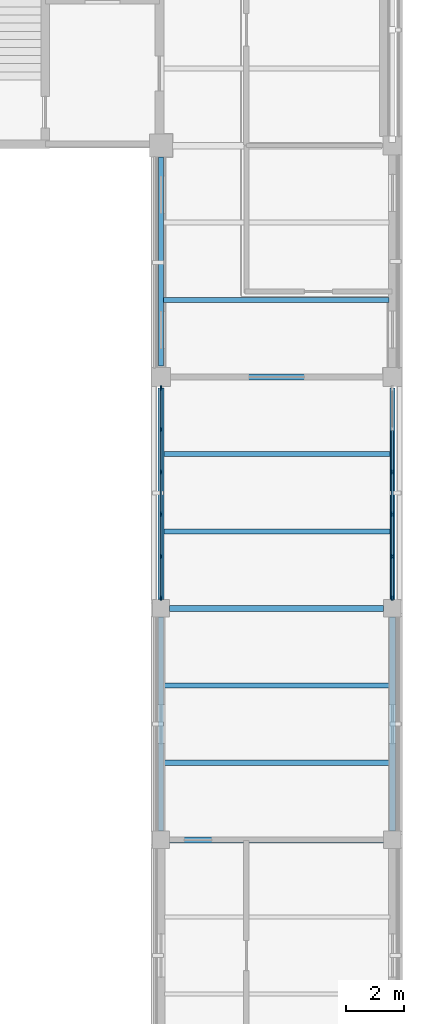
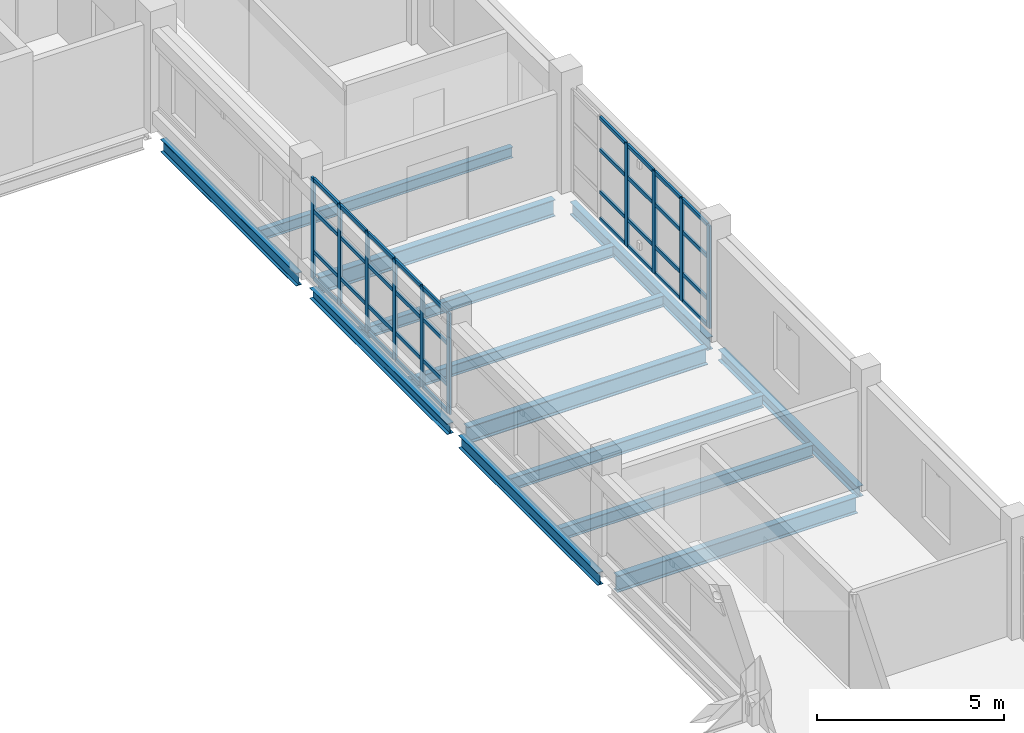
# One storey, part 59 of 126: 46 members, 13 beams, 2 elements without a shape of their own.
"""IFC4 building model written with IfcOpenShell, lengths in metres."""

from ifc_helpers import new_model, si_unit, derived_unit, direction, frame, origin, origin_2d, place, context, subcontext, project, spatial, rectangle, i_section, extrude, material, layer, layer_set, material_profile, profile_set, type_object, element, aggregate, save


model = new_model("IFC4")

# Units and contexts
model_context = context("Model", 3, precision=1e-05, world=origin(), true_north=direction((0.0, 1.0)))
body_context = subcontext(model_context, "Body", "Model", "MODEL_VIEW")
ifc_project = project(units=[si_unit("LENGTHUNIT", "METRE"), si_unit("AREAUNIT", "SQUARE_METRE"), si_unit("VOLUMEUNIT", "CUBIC_METRE"), si_unit("PLANEANGLEUNIT", "RADIAN"), si_unit("MASSUNIT", "GRAM", prefix="KILO"), derived_unit("THERMALTRANSMITTANCEUNIT", [(si_unit("MASSUNIT", "GRAM", prefix="KILO"), 1), (si_unit("TIMEUNIT", "SECOND"), -3), (si_unit("THERMODYNAMICTEMPERATUREUNIT", "KELVIN"), -1)])], contexts=[model_context])

# Site, building, storey
site_placement = place(None, origin())
site = spatial("IfcSite", under=ifc_project, at=site_placement, CompositionType="ELEMENT")
building_placement = place(site_placement, origin())
building = spatial("IfcBuilding", under=site, at=building_placement, Name="Veyamyaing Civic Hall", CompositionType="ELEMENT")
storey_placement = place(building_placement, frame((0.0, 0.0, 9.89990234375)))
storey = spatial("IfcBuildingStorey", under=building, at=storey_placement, Name="L02", CompositionType="ELEMENT", Elevation=9.89990234375)

# Beams
ifc_material_1 = material(Name="Steel ASTM A992", Category="steel")
ifc_material_profile_1 = material_profile(ifc_material_1, i_section(OverallWidth=0.208984375, OverallDepth=0.532958984375, WebThickness=0.01025390625, FlangeThickness=0.015625, FilletRadius=0.011962890625, at=origin_2d()), Name="W530X92")
ifc_profile_set_1 = profile_set([ifc_material_profile_1], Name="Steel ASTM A992")
beam_type_1 = type_object("IfcBeamType", Name="B-07", PredefinedType="BEAM", material=ifc_profile_set_1)
beam_1_placement = place(storey_placement, frame((168.300048828125, 64.0, -0.551513671875), z_axis=(1.0, 0.0, 0.0), x_axis=(0.0, 1.0, 0.0)))
element("IfcBeam", 1, at=beam_1_placement, inside=storey, type_object=beam_type_1, Name="Girder B-07 L02 Grid J 22-23", PredefinedType="BEAM", context=body_context, shape_type="SweptSolid", body=[
    extrude(i_section(OverallWidth=0.208984375, OverallDepth=0.532958984375, WebThickness=0.01025390625, FlangeThickness=0.015625, FilletRadius=0.011962890625, at=origin_2d()), origin(), (0.0, 0.0, 1.0), 7.39990234375),
])
ifc_material_profile_2 = material_profile(ifc_material_1, i_section(OverallWidth=0.179931640625, OverallDepth=0.4130859375, WebThickness=0.009765625, FlangeThickness=0.01611328125, FilletRadius=0.010009765625, at=origin_2d()), Name="W410X74")
ifc_profile_set_2 = profile_set([ifc_material_profile_2], Name="Steel ASTM A992")
beam_type_2 = type_object("IfcBeamType", Name="B-10", PredefinedType="SPANDREL", material=ifc_profile_set_2)
beam_2_placement = place(storey_placement, frame((168.0, 64.300048828125, -0.491455078125), z_axis=(0.0, 1.0, 0.0), x_axis=(-1.0, 0.0, 0.0)))
element("IfcBeam", 2, at=beam_2_placement, inside=storey, type_object=beam_type_2, Name="Girder B-10 L02 Grid 22 J-K", PredefinedType="SPANDREL", context=body_context, shape_type="SweptSolid", body=[
    extrude(i_section(OverallWidth=0.179931640625, OverallDepth=0.4130859375, WebThickness=0.009765625, FlangeThickness=0.01611328125, FilletRadius=0.010009765625, at=origin_2d()), origin(), (0.0, 0.0, 1.0), 7.39990234375),
])
ifc_material_profile_3 = material_profile(ifc_material_1, i_section(OverallWidth=0.2041015625, OverallDepth=0.35009765625, WebThickness=0.0078125, FlangeThickness=0.01513671875, FilletRadius=0.010009765625, at=origin_2d()), Name="W360X72")
ifc_profile_set_3 = profile_set([ifc_material_profile_3], Name="Steel ASTM A992")
beam_type_3 = type_object("IfcBeamType", Name="B-11", PredefinedType="SPANDREL", material=ifc_profile_set_3)
beam_3_placement = place(storey_placement, frame((168.0, 72.300048828125, -0.4599609375), z_axis=(0.0, 1.0, 0.0), x_axis=(-1.0, 0.0, 0.0)))
element("IfcBeam", 3, at=beam_3_placement, inside=storey, type_object=beam_type_3, Name="Girder B-11 L02 Grid 22 K-L", PredefinedType="SPANDREL", context=body_context, shape_type="SweptSolid", body=[
    extrude(i_section(OverallWidth=0.2041015625, OverallDepth=0.35009765625, WebThickness=0.0078125, FlangeThickness=0.01513671875, FilletRadius=0.010009765625, at=origin_2d()), origin(), (0.0, 0.0, 1.0), 7.324951171875),
])
beam_4_placement = place(storey_placement, frame((176.0, 64.300048828125, -0.4599609375), z_axis=(0.0, 1.0, 0.0), x_axis=(-1.0, 0.0, 0.0)))
element("IfcBeam", 4, at=beam_4_placement, inside=storey, type_object=beam_type_3, Name="Girder B-11 L02 Grid 23 J-K", PredefinedType="SPANDREL", context=body_context, shape_type="SweptSolid", body=[
    extrude(i_section(OverallWidth=0.2041015625, OverallDepth=0.35009765625, WebThickness=0.0078125, FlangeThickness=0.01513671875, FilletRadius=0.010009765625, at=origin_2d()), origin(), (0.0, 0.0, 1.0), 7.39990234375),
])
ifc_material_profile_4 = material_profile(ifc_material_1, i_section(OverallWidth=0.214111328125, OverallDepth=0.549072265625, WebThickness=0.0146484375, FlangeThickness=0.023681640625, FilletRadius=0.011962890625, at=origin_2d()), Name="W530X138")
ifc_profile_set_4 = profile_set([ifc_material_profile_4], Name="Steel ASTM A992")
beam_type_4 = type_object("IfcBeamType", Name="B-16", PredefinedType="BEAM", material=ifc_profile_set_4)
beam_5_placement = place(storey_placement, frame((168.300048828125, 72.0, -0.559326171875), z_axis=(1.0, 0.0, 0.0), x_axis=(0.0, 1.0, 0.0)))
element("IfcBeam", 5, at=beam_5_placement, inside=storey, type_object=beam_type_4, Name="Girder B-16 L02 Grid K 22-23", PredefinedType="BEAM", context=body_context, shape_type="SweptSolid", body=[
    extrude(i_section(OverallWidth=0.214111328125, OverallDepth=0.549072265625, WebThickness=0.0146484375, FlangeThickness=0.023681640625, FilletRadius=0.011962890625, at=origin_2d()), origin(), (0.0, 0.0, 1.0), 7.39990234375),
])
ifc_material_profile_5 = material_profile(ifc_material_1, i_section(OverallWidth=0.2109375, OverallDepth=0.5390625, WebThickness=0.01171875, FlangeThickness=0.018798828125, FilletRadius=0.011962890625, at=origin_2d()), Name="W530X109")
ifc_profile_set_5 = profile_set([ifc_material_profile_5], Name="Steel ASTM A992")
beam_type_5 = type_object("IfcBeamType", Name="B-17", PredefinedType="BEAM", material=ifc_profile_set_5)
beam_6_placement = place(storey_placement, frame((168.375, 80.0, -0.554443359375), z_axis=(1.0, 0.0, 0.0), x_axis=(0.0, 1.0, 0.0)))
element("IfcBeam", 6, at=beam_6_placement, inside=storey, type_object=beam_type_5, Name="Girder B-17 L02 Grid L 22-23", PredefinedType="BEAM", context=body_context, shape_type="SweptSolid", body=[
    extrude(i_section(OverallWidth=0.2109375, OverallDepth=0.5390625, WebThickness=0.01171875, FlangeThickness=0.018798828125, FilletRadius=0.011962890625, at=origin_2d()), origin(), (0.0, 0.0, 1.0), 7.25),
])
ifc_material_profile_6 = material_profile(ifc_material_1, i_section(OverallWidth=0.180908203125, OverallDepth=0.4169921875, WebThickness=0.010986328125, FlangeThickness=0.018310546875, FilletRadius=0.010009765625, at=origin_2d()), Name="W410X85")
ifc_profile_set_6 = profile_set([ifc_material_profile_6], Name="Steel ASTM A992")
beam_type_6 = type_object("IfcBeamType", Name="B-19", PredefinedType="SPANDREL", material=ifc_profile_set_6)
beam_7_placement = place(storey_placement, frame((168.0, 80.375, -0.493408203125), z_axis=(0.0, 1.0, 0.0), x_axis=(-1.0, 0.0, 0.0)))
element("IfcBeam", 7, at=beam_7_placement, inside=storey, type_object=beam_type_6, Name="Girder B-19 L02 Grid 22 L-M", PredefinedType="SPANDREL", context=body_context, shape_type="SweptSolid", body=[
    extrude(i_section(OverallWidth=0.180908203125, OverallDepth=0.4169921875, WebThickness=0.010986328125, FlangeThickness=0.018310546875, FilletRadius=0.010009765625, at=origin_2d()), origin(), (0.0, 0.0, 1.0), 7.22509765625),
])
beam_8_placement = place(storey_placement, frame((176.0, 72.300048828125, -0.493408203125), z_axis=(0.0, 1.0, 0.0), x_axis=(-1.0, 0.0, 0.0)))
element("IfcBeam", 8, at=beam_8_placement, inside=storey, type_object=beam_type_6, Name="Girder B-19 L02 Grid 23 K-L", PredefinedType="SPANDREL", context=body_context, shape_type="SweptSolid", body=[
    extrude(i_section(OverallWidth=0.180908203125, OverallDepth=0.4169921875, WebThickness=0.010986328125, FlangeThickness=0.018310546875, FilletRadius=0.010009765625, at=origin_2d()), origin(), (0.0, 0.0, 1.0), 7.324951171875),
])

# Curtain wall, members
ifc_material_2 = material(Name="Anodised aluminium 6063-T6", Category="aluminium")
ifc_layer = layer(ifc_material_2, 0.159912109375, Name="Anodised aluminium 6063-T6")
ifc_layer_set = layer_set([ifc_layer], Name="Anodised aluminium 6063-T6")
curtain_wall_type = type_object("IfcCurtainWallType", Name="CW-03", PredefinedType="NOTDEFINED", material=ifc_layer_set)
curtain_wall_1_placement = place(storey_placement, origin())
curtain_wall_1 = element("IfcCurtainWall", 9, at=curtain_wall_1_placement, inside=storey, type_object=curtain_wall_type, Name="Unitized curtain wall CW-03 L02 W 22.10", PredefinedType="NOTDEFINED")
ifc_material_profile_7 = material_profile(ifc_material_2, rectangle(XDim=0.06494140625, YDim=0.159912109375, at=origin_2d()), Name="ALU-MUL-65X160")
ifc_profile_set_7 = profile_set([ifc_material_profile_7], Name="Anodised aluminium 6063-T6")
member_type_1 = type_object("IfcMemberType", Name="CWM-01", PredefinedType="MULLION", material=ifc_profile_set_7)
member_1_placement = place(storey_placement, frame((168.0, 72.362548828125, 0.0), z_axis=(0.0, 0.0, 1.0), x_axis=(-1.0, 0.0, 0.0)))
member_1 = element("IfcMember", 10, at=member_1_placement, type_object=member_type_1, Name="CW-03 mullion 1", PredefinedType="MULLION", context=body_context, shape_type="SweptSolid", body=[
    extrude(rectangle(XDim=0.06494140625, YDim=0.159912109375, at=origin_2d()), origin(), (0.0, 0.0, 1.0), 3.280029296875),
])
member_2_placement = place(storey_placement, frame((168.0, 73.79296875, 0.0), z_axis=(0.0, 0.0, 1.0), x_axis=(-1.0, 0.0, 0.0)))
member_2 = element("IfcMember", 11, at=member_2_placement, type_object=member_type_1, Name="CW-03 mullion 2", PredefinedType="MULLION", context=body_context, shape_type="SweptSolid", body=[
    extrude(rectangle(XDim=0.06494140625, YDim=0.159912109375, at=origin_2d()), origin(), (0.0, 0.0, 1.0), 3.280029296875),
])
member_3_placement = place(storey_placement, frame((168.0, 75.256103515625, 0.0), z_axis=(0.0, 0.0, 1.0), x_axis=(-1.0, 0.0, 0.0)))
member_3 = element("IfcMember", 12, at=member_3_placement, type_object=member_type_1, Name="CW-03 mullion 3", PredefinedType="MULLION", context=body_context, shape_type="SweptSolid", body=[
    extrude(rectangle(XDim=0.06494140625, YDim=0.159912109375, at=origin_2d()), origin(), (0.0, 0.0, 1.0), 3.280029296875),
])
member_4_placement = place(storey_placement, frame((168.0, 76.718994140625, 0.0), z_axis=(0.0, 0.0, 1.0), x_axis=(-1.0, 0.0, 0.0)))
member_4 = element("IfcMember", 13, at=member_4_placement, type_object=member_type_1, Name="CW-03 mullion 4", PredefinedType="MULLION", context=body_context, shape_type="SweptSolid", body=[
    extrude(rectangle(XDim=0.06494140625, YDim=0.159912109375, at=origin_2d()), origin(), (0.0, 0.0, 1.0), 3.280029296875),
])
member_5_placement = place(storey_placement, frame((168.0, 78.181884765625, 0.0), z_axis=(0.0, 0.0, 1.0), x_axis=(-1.0, 0.0, 0.0)))
member_5 = element("IfcMember", 14, at=member_5_placement, type_object=member_type_1, Name="CW-03 mullion 5", PredefinedType="MULLION", context=body_context, shape_type="SweptSolid", body=[
    extrude(rectangle(XDim=0.06494140625, YDim=0.159912109375, at=origin_2d()), origin(), (0.0, 0.0, 1.0), 3.280029296875),
])
member_6_placement = place(storey_placement, frame((168.0, 79.612548828125, 0.0), z_axis=(0.0, 0.0, 1.0), x_axis=(-1.0, 0.0, 0.0)))
member_6 = element("IfcMember", 15, at=member_6_placement, type_object=member_type_1, Name="CW-03 mullion 6", PredefinedType="MULLION", context=body_context, shape_type="SweptSolid", body=[
    extrude(rectangle(XDim=0.06494140625, YDim=0.159912109375, at=origin_2d()), origin(), (0.0, 0.0, 1.0), 3.280029296875),
])

curtain_wall_2_placement = place(storey_placement, origin())
curtain_wall_2 = element("IfcCurtainWall", 16, at=curtain_wall_2_placement, inside=storey, type_object=curtain_wall_type, Name="Unitized curtain wall CW-03 L02 E 22.10", PredefinedType="NOTDEFINED")
member_7_placement = place(storey_placement, frame((176.0, 72.362548828125, 0.0), z_axis=(0.0, 0.0, 1.0), x_axis=(-1.0, 0.0, 0.0)))
member_7 = element("IfcMember", 17, at=member_7_placement, type_object=member_type_1, Name="CW-03 mullion 1", PredefinedType="MULLION", context=body_context, shape_type="SweptSolid", body=[
    extrude(rectangle(XDim=0.06494140625, YDim=0.159912109375, at=origin_2d()), origin(), (0.0, 0.0, 1.0), 3.343994140625),
])
member_8_placement = place(storey_placement, frame((176.0, 73.79296875, 0.0), z_axis=(0.0, 0.0, 1.0), x_axis=(-1.0, 0.0, 0.0)))
member_8 = element("IfcMember", 18, at=member_8_placement, type_object=member_type_1, Name="CW-03 mullion 2", PredefinedType="MULLION", context=body_context, shape_type="SweptSolid", body=[
    extrude(rectangle(XDim=0.06494140625, YDim=0.159912109375, at=origin_2d()), origin(), (0.0, 0.0, 1.0), 3.343994140625),
])
member_9_placement = place(storey_placement, frame((176.0, 75.256103515625, 0.0), z_axis=(0.0, 0.0, 1.0), x_axis=(-1.0, 0.0, 0.0)))
member_9 = element("IfcMember", 19, at=member_9_placement, type_object=member_type_1, Name="CW-03 mullion 3", PredefinedType="MULLION", context=body_context, shape_type="SweptSolid", body=[
    extrude(rectangle(XDim=0.06494140625, YDim=0.159912109375, at=origin_2d()), origin(), (0.0, 0.0, 1.0), 3.343994140625),
])
member_10_placement = place(storey_placement, frame((176.0, 76.718994140625, 0.0), z_axis=(0.0, 0.0, 1.0), x_axis=(-1.0, 0.0, 0.0)))
member_10 = element("IfcMember", 20, at=member_10_placement, type_object=member_type_1, Name="CW-03 mullion 4", PredefinedType="MULLION", context=body_context, shape_type="SweptSolid", body=[
    extrude(rectangle(XDim=0.06494140625, YDim=0.159912109375, at=origin_2d()), origin(), (0.0, 0.0, 1.0), 3.343994140625),
])

# Member
ifc_material_profile_8 = material_profile(ifc_material_2, rectangle(XDim=0.06494140625, YDim=0.1201171875, at=origin_2d()), Name="ALU-TRN-65X120")
ifc_profile_set_8 = profile_set([ifc_material_profile_8], Name="Anodised aluminium 6063-T6")
member_type_2 = type_object("IfcMemberType", Name="CWT-01", PredefinedType="USERDEFINED", material=ifc_profile_set_8)
member_11_placement = place(storey_placement, frame((168.0, 72.39501953125, 0.03271484375), z_axis=(0.0, 1.0, 0.0), x_axis=(-1.0, 0.0, 0.0)))
member_11 = element("IfcMember", 21, at=member_11_placement, type_object=member_type_2, Name="CW-03 transom 1.1", ObjectType="TRANSOM", PredefinedType="USERDEFINED", context=body_context, shape_type="SweptSolid", body=[
    extrude(rectangle(XDim=0.06494140625, YDim=0.1201171875, at=origin_2d()), origin(), (0.0, 0.0, 1.0), 1.365478515625),
])

member_12_placement = place(storey_placement, frame((168.0, 72.39501953125, 0.900146484375), z_axis=(0.0, 1.0, 0.0), x_axis=(-1.0, 0.0, 0.0)))
member_12 = element("IfcMember", 22, at=member_12_placement, type_object=member_type_2, Name="CW-03 transom 1.2", ObjectType="TRANSOM", PredefinedType="USERDEFINED", context=body_context, shape_type="SweptSolid", body=[
    extrude(rectangle(XDim=0.06494140625, YDim=0.1201171875, at=origin_2d()), origin(), (0.0, 0.0, 1.0), 1.365478515625),
])

member_13_placement = place(storey_placement, frame((168.0, 72.39501953125, 2.23046875), z_axis=(0.0, 1.0, 0.0), x_axis=(-1.0, 0.0, 0.0)))
member_13 = element("IfcMember", 23, at=member_13_placement, type_object=member_type_2, Name="CW-03 transom 1.3", ObjectType="TRANSOM", PredefinedType="USERDEFINED", context=body_context, shape_type="SweptSolid", body=[
    extrude(rectangle(XDim=0.06494140625, YDim=0.1201171875, at=origin_2d()), origin(), (0.0, 0.0, 1.0), 1.365478515625),
])

member_14_placement = place(storey_placement, frame((168.0, 72.39501953125, 3.24755859375), z_axis=(0.0, 1.0, 0.0), x_axis=(-1.0, 0.0, 0.0)))
member_14 = element("IfcMember", 24, at=member_14_placement, type_object=member_type_2, Name="CW-03 transom 1.4", ObjectType="TRANSOM", PredefinedType="USERDEFINED", context=body_context, shape_type="SweptSolid", body=[
    extrude(rectangle(XDim=0.06494140625, YDim=0.1201171875, at=origin_2d()), origin(), (0.0, 0.0, 1.0), 1.365478515625),
])

member_15_placement = place(storey_placement, frame((168.0, 73.825439453125, 0.03271484375), z_axis=(0.0, 1.0, 0.0), x_axis=(-1.0, 0.0, 0.0)))
member_15 = element("IfcMember", 25, at=member_15_placement, type_object=member_type_2, Name="CW-03 transom 2.1", ObjectType="TRANSOM", PredefinedType="USERDEFINED", context=body_context, shape_type="SweptSolid", body=[
    extrude(rectangle(XDim=0.06494140625, YDim=0.1201171875, at=origin_2d()), origin(), (0.0, 0.0, 1.0), 1.39794921875),
])

member_16_placement = place(storey_placement, frame((168.0, 73.825439453125, 0.900146484375), z_axis=(0.0, 1.0, 0.0), x_axis=(-1.0, 0.0, 0.0)))
member_16 = element("IfcMember", 26, at=member_16_placement, type_object=member_type_2, Name="CW-03 transom 2.2", ObjectType="TRANSOM", PredefinedType="USERDEFINED", context=body_context, shape_type="SweptSolid", body=[
    extrude(rectangle(XDim=0.06494140625, YDim=0.1201171875, at=origin_2d()), origin(), (0.0, 0.0, 1.0), 1.39794921875),
])

member_17_placement = place(storey_placement, frame((168.0, 73.825439453125, 2.23046875), z_axis=(0.0, 1.0, 0.0), x_axis=(-1.0, 0.0, 0.0)))
member_17 = element("IfcMember", 27, at=member_17_placement, type_object=member_type_2, Name="CW-03 transom 2.3", ObjectType="TRANSOM", PredefinedType="USERDEFINED", context=body_context, shape_type="SweptSolid", body=[
    extrude(rectangle(XDim=0.06494140625, YDim=0.1201171875, at=origin_2d()), origin(), (0.0, 0.0, 1.0), 1.39794921875),
])

member_18_placement = place(storey_placement, frame((168.0, 73.825439453125, 3.24755859375), z_axis=(0.0, 1.0, 0.0), x_axis=(-1.0, 0.0, 0.0)))
member_18 = element("IfcMember", 28, at=member_18_placement, type_object=member_type_2, Name="CW-03 transom 2.4", ObjectType="TRANSOM", PredefinedType="USERDEFINED", context=body_context, shape_type="SweptSolid", body=[
    extrude(rectangle(XDim=0.06494140625, YDim=0.1201171875, at=origin_2d()), origin(), (0.0, 0.0, 1.0), 1.39794921875),
])

member_19_placement = place(storey_placement, frame((168.0, 75.28857421875, 0.03271484375), z_axis=(0.0, 1.0, 0.0), x_axis=(-1.0, 0.0, 0.0)))
member_19 = element("IfcMember", 29, at=member_19_placement, type_object=member_type_2, Name="CW-03 transom 3.1", ObjectType="TRANSOM", PredefinedType="USERDEFINED", context=body_context, shape_type="SweptSolid", body=[
    extrude(rectangle(XDim=0.06494140625, YDim=0.1201171875, at=origin_2d()), origin(), (0.0, 0.0, 1.0), 1.39794921875),
])

member_20_placement = place(storey_placement, frame((168.0, 75.28857421875, 0.900146484375), z_axis=(0.0, 1.0, 0.0), x_axis=(-1.0, 0.0, 0.0)))
member_20 = element("IfcMember", 30, at=member_20_placement, type_object=member_type_2, Name="CW-03 transom 3.2", ObjectType="TRANSOM", PredefinedType="USERDEFINED", context=body_context, shape_type="SweptSolid", body=[
    extrude(rectangle(XDim=0.06494140625, YDim=0.1201171875, at=origin_2d()), origin(), (0.0, 0.0, 1.0), 1.39794921875),
])

member_21_placement = place(storey_placement, frame((168.0, 75.28857421875, 2.23046875), z_axis=(0.0, 1.0, 0.0), x_axis=(-1.0, 0.0, 0.0)))
member_21 = element("IfcMember", 31, at=member_21_placement, type_object=member_type_2, Name="CW-03 transom 3.3", ObjectType="TRANSOM", PredefinedType="USERDEFINED", context=body_context, shape_type="SweptSolid", body=[
    extrude(rectangle(XDim=0.06494140625, YDim=0.1201171875, at=origin_2d()), origin(), (0.0, 0.0, 1.0), 1.39794921875),
])

member_22_placement = place(storey_placement, frame((168.0, 75.28857421875, 3.24755859375), z_axis=(0.0, 1.0, 0.0), x_axis=(-1.0, 0.0, 0.0)))
member_22 = element("IfcMember", 32, at=member_22_placement, type_object=member_type_2, Name="CW-03 transom 3.4", ObjectType="TRANSOM", PredefinedType="USERDEFINED", context=body_context, shape_type="SweptSolid", body=[
    extrude(rectangle(XDim=0.06494140625, YDim=0.1201171875, at=origin_2d()), origin(), (0.0, 0.0, 1.0), 1.39794921875),
])

member_23_placement = place(storey_placement, frame((168.0, 76.75146484375, 0.03271484375), z_axis=(0.0, 1.0, 0.0), x_axis=(-1.0, 0.0, 0.0)))
member_23 = element("IfcMember", 33, at=member_23_placement, type_object=member_type_2, Name="CW-03 transom 4.1", ObjectType="TRANSOM", PredefinedType="USERDEFINED", context=body_context, shape_type="SweptSolid", body=[
    extrude(rectangle(XDim=0.06494140625, YDim=0.1201171875, at=origin_2d()), origin(), (0.0, 0.0, 1.0), 1.39794921875),
])

member_24_placement = place(storey_placement, frame((168.0, 76.75146484375, 0.900146484375), z_axis=(0.0, 1.0, 0.0), x_axis=(-1.0, 0.0, 0.0)))
member_24 = element("IfcMember", 34, at=member_24_placement, type_object=member_type_2, Name="CW-03 transom 4.2", ObjectType="TRANSOM", PredefinedType="USERDEFINED", context=body_context, shape_type="SweptSolid", body=[
    extrude(rectangle(XDim=0.06494140625, YDim=0.1201171875, at=origin_2d()), origin(), (0.0, 0.0, 1.0), 1.39794921875),
])

member_25_placement = place(storey_placement, frame((168.0, 76.75146484375, 2.23046875), z_axis=(0.0, 1.0, 0.0), x_axis=(-1.0, 0.0, 0.0)))
member_25 = element("IfcMember", 35, at=member_25_placement, type_object=member_type_2, Name="CW-03 transom 4.3", ObjectType="TRANSOM", PredefinedType="USERDEFINED", context=body_context, shape_type="SweptSolid", body=[
    extrude(rectangle(XDim=0.06494140625, YDim=0.1201171875, at=origin_2d()), origin(), (0.0, 0.0, 1.0), 1.39794921875),
])

member_26_placement = place(storey_placement, frame((168.0, 76.75146484375, 3.24755859375), z_axis=(0.0, 1.0, 0.0), x_axis=(-1.0, 0.0, 0.0)))
member_26 = element("IfcMember", 36, at=member_26_placement, type_object=member_type_2, Name="CW-03 transom 4.4", ObjectType="TRANSOM", PredefinedType="USERDEFINED", context=body_context, shape_type="SweptSolid", body=[
    extrude(rectangle(XDim=0.06494140625, YDim=0.1201171875, at=origin_2d()), origin(), (0.0, 0.0, 1.0), 1.39794921875),
])

member_27_placement = place(storey_placement, frame((168.0, 78.214599609375, 0.03271484375), z_axis=(0.0, 1.0, 0.0), x_axis=(-1.0, 0.0, 0.0)))
member_27 = element("IfcMember", 37, at=member_27_placement, type_object=member_type_2, Name="CW-03 transom 5.1", ObjectType="TRANSOM", PredefinedType="USERDEFINED", context=body_context, shape_type="SweptSolid", body=[
    extrude(rectangle(XDim=0.06494140625, YDim=0.1201171875, at=origin_2d()), origin(), (0.0, 0.0, 1.0), 1.365478515625),
])

member_28_placement = place(storey_placement, frame((168.0, 78.214599609375, 0.900146484375), z_axis=(0.0, 1.0, 0.0), x_axis=(-1.0, 0.0, 0.0)))
member_28 = element("IfcMember", 38, at=member_28_placement, type_object=member_type_2, Name="CW-03 transom 5.2", ObjectType="TRANSOM", PredefinedType="USERDEFINED", context=body_context, shape_type="SweptSolid", body=[
    extrude(rectangle(XDim=0.06494140625, YDim=0.1201171875, at=origin_2d()), origin(), (0.0, 0.0, 1.0), 1.365478515625),
])

member_29_placement = place(storey_placement, frame((168.0, 78.214599609375, 2.23046875), z_axis=(0.0, 1.0, 0.0), x_axis=(-1.0, 0.0, 0.0)))
member_29 = element("IfcMember", 39, at=member_29_placement, type_object=member_type_2, Name="CW-03 transom 5.3", ObjectType="TRANSOM", PredefinedType="USERDEFINED", context=body_context, shape_type="SweptSolid", body=[
    extrude(rectangle(XDim=0.06494140625, YDim=0.1201171875, at=origin_2d()), origin(), (0.0, 0.0, 1.0), 1.365478515625),
])

member_30_placement = place(storey_placement, frame((168.0, 78.214599609375, 3.24755859375), z_axis=(0.0, 1.0, 0.0), x_axis=(-1.0, 0.0, 0.0)))
member_30 = element("IfcMember", 40, at=member_30_placement, type_object=member_type_2, Name="CW-03 transom 5.4", ObjectType="TRANSOM", PredefinedType="USERDEFINED", context=body_context, shape_type="SweptSolid", body=[
    extrude(rectangle(XDim=0.06494140625, YDim=0.1201171875, at=origin_2d()), origin(), (0.0, 0.0, 1.0), 1.365478515625),
])

aggregate(curtain_wall_1, [member_1, member_2, member_3, member_4, member_5, member_6, member_11, member_12, member_13, member_14, member_15, member_16, member_17, member_18, member_19, member_20, member_21, member_22, member_23, member_24, member_25, member_26, member_27, member_28, member_29, member_30])

member_31_placement = place(storey_placement, frame((176.0, 72.39501953125, 0.03271484375), z_axis=(0.0, 1.0, 0.0), x_axis=(-1.0, 0.0, 0.0)))
member_31 = element("IfcMember", 41, at=member_31_placement, type_object=member_type_2, Name="CW-03 transom 1.1", ObjectType="TRANSOM", PredefinedType="USERDEFINED", context=body_context, shape_type="SweptSolid", body=[
    extrude(rectangle(XDim=0.06494140625, YDim=0.1201171875, at=origin_2d()), origin(), (0.0, 0.0, 1.0), 1.365478515625),
])

member_32_placement = place(storey_placement, frame((176.0, 72.39501953125, 0.900146484375), z_axis=(0.0, 1.0, 0.0), x_axis=(-1.0, 0.0, 0.0)))
member_32 = element("IfcMember", 42, at=member_32_placement, type_object=member_type_2, Name="CW-03 transom 1.2", ObjectType="TRANSOM", PredefinedType="USERDEFINED", context=body_context, shape_type="SweptSolid", body=[
    extrude(rectangle(XDim=0.06494140625, YDim=0.1201171875, at=origin_2d()), origin(), (0.0, 0.0, 1.0), 1.365478515625),
])

member_33_placement = place(storey_placement, frame((176.0, 72.39501953125, 2.27392578125), z_axis=(0.0, 1.0, 0.0), x_axis=(-1.0, 0.0, 0.0)))
member_33 = element("IfcMember", 43, at=member_33_placement, type_object=member_type_2, Name="CW-03 transom 1.3", ObjectType="TRANSOM", PredefinedType="USERDEFINED", context=body_context, shape_type="SweptSolid", body=[
    extrude(rectangle(XDim=0.06494140625, YDim=0.1201171875, at=origin_2d()), origin(), (0.0, 0.0, 1.0), 1.365478515625),
])

member_34_placement = place(storey_placement, frame((176.0, 72.39501953125, 3.3115234375), z_axis=(0.0, 1.0, 0.0), x_axis=(-1.0, 0.0, 0.0)))
member_34 = element("IfcMember", 44, at=member_34_placement, type_object=member_type_2, Name="CW-03 transom 1.4", ObjectType="TRANSOM", PredefinedType="USERDEFINED", context=body_context, shape_type="SweptSolid", body=[
    extrude(rectangle(XDim=0.06494140625, YDim=0.1201171875, at=origin_2d()), origin(), (0.0, 0.0, 1.0), 1.365478515625),
])

member_35_placement = place(storey_placement, frame((176.0, 73.825439453125, 0.03271484375), z_axis=(0.0, 1.0, 0.0), x_axis=(-1.0, 0.0, 0.0)))
member_35 = element("IfcMember", 45, at=member_35_placement, type_object=member_type_2, Name="CW-03 transom 2.1", ObjectType="TRANSOM", PredefinedType="USERDEFINED", context=body_context, shape_type="SweptSolid", body=[
    extrude(rectangle(XDim=0.06494140625, YDim=0.1201171875, at=origin_2d()), origin(), (0.0, 0.0, 1.0), 1.39794921875),
])

member_36_placement = place(storey_placement, frame((176.0, 73.825439453125, 0.900146484375), z_axis=(0.0, 1.0, 0.0), x_axis=(-1.0, 0.0, 0.0)))
member_36 = element("IfcMember", 46, at=member_36_placement, type_object=member_type_2, Name="CW-03 transom 2.2", ObjectType="TRANSOM", PredefinedType="USERDEFINED", context=body_context, shape_type="SweptSolid", body=[
    extrude(rectangle(XDim=0.06494140625, YDim=0.1201171875, at=origin_2d()), origin(), (0.0, 0.0, 1.0), 1.39794921875),
])

member_37_placement = place(storey_placement, frame((176.0, 73.825439453125, 2.27392578125), z_axis=(0.0, 1.0, 0.0), x_axis=(-1.0, 0.0, 0.0)))
member_37 = element("IfcMember", 47, at=member_37_placement, type_object=member_type_2, Name="CW-03 transom 2.3", ObjectType="TRANSOM", PredefinedType="USERDEFINED", context=body_context, shape_type="SweptSolid", body=[
    extrude(rectangle(XDim=0.06494140625, YDim=0.1201171875, at=origin_2d()), origin(), (0.0, 0.0, 1.0), 1.39794921875),
])

member_38_placement = place(storey_placement, frame((176.0, 73.825439453125, 3.3115234375), z_axis=(0.0, 1.0, 0.0), x_axis=(-1.0, 0.0, 0.0)))
member_38 = element("IfcMember", 48, at=member_38_placement, type_object=member_type_2, Name="CW-03 transom 2.4", ObjectType="TRANSOM", PredefinedType="USERDEFINED", context=body_context, shape_type="SweptSolid", body=[
    extrude(rectangle(XDim=0.06494140625, YDim=0.1201171875, at=origin_2d()), origin(), (0.0, 0.0, 1.0), 1.39794921875),
])

member_39_placement = place(storey_placement, frame((176.0, 75.28857421875, 0.03271484375), z_axis=(0.0, 1.0, 0.0), x_axis=(-1.0, 0.0, 0.0)))
member_39 = element("IfcMember", 49, at=member_39_placement, type_object=member_type_2, Name="CW-03 transom 3.1", ObjectType="TRANSOM", PredefinedType="USERDEFINED", context=body_context, shape_type="SweptSolid", body=[
    extrude(rectangle(XDim=0.06494140625, YDim=0.1201171875, at=origin_2d()), origin(), (0.0, 0.0, 1.0), 1.39794921875),
])

member_40_placement = place(storey_placement, frame((176.0, 75.28857421875, 0.900146484375), z_axis=(0.0, 1.0, 0.0), x_axis=(-1.0, 0.0, 0.0)))
member_40 = element("IfcMember", 50, at=member_40_placement, type_object=member_type_2, Name="CW-03 transom 3.2", ObjectType="TRANSOM", PredefinedType="USERDEFINED", context=body_context, shape_type="SweptSolid", body=[
    extrude(rectangle(XDim=0.06494140625, YDim=0.1201171875, at=origin_2d()), origin(), (0.0, 0.0, 1.0), 1.39794921875),
])

member_41_placement = place(storey_placement, frame((176.0, 75.28857421875, 2.27392578125), z_axis=(0.0, 1.0, 0.0), x_axis=(-1.0, 0.0, 0.0)))
member_41 = element("IfcMember", 51, at=member_41_placement, type_object=member_type_2, Name="CW-03 transom 3.3", ObjectType="TRANSOM", PredefinedType="USERDEFINED", context=body_context, shape_type="SweptSolid", body=[
    extrude(rectangle(XDim=0.06494140625, YDim=0.1201171875, at=origin_2d()), origin(), (0.0, 0.0, 1.0), 1.39794921875),
])

member_42_placement = place(storey_placement, frame((176.0, 75.28857421875, 3.3115234375), z_axis=(0.0, 1.0, 0.0), x_axis=(-1.0, 0.0, 0.0)))
member_42 = element("IfcMember", 52, at=member_42_placement, type_object=member_type_2, Name="CW-03 transom 3.4", ObjectType="TRANSOM", PredefinedType="USERDEFINED", context=body_context, shape_type="SweptSolid", body=[
    extrude(rectangle(XDim=0.06494140625, YDim=0.1201171875, at=origin_2d()), origin(), (0.0, 0.0, 1.0), 1.39794921875),
])

member_43_placement = place(storey_placement, frame((176.0, 76.75146484375, 0.03271484375), z_axis=(0.0, 1.0, 0.0), x_axis=(-1.0, 0.0, 0.0)))
member_43 = element("IfcMember", 53, at=member_43_placement, type_object=member_type_2, Name="CW-03 transom 4.1", ObjectType="TRANSOM", PredefinedType="USERDEFINED", context=body_context, shape_type="SweptSolid", body=[
    extrude(rectangle(XDim=0.06494140625, YDim=0.1201171875, at=origin_2d()), origin(), (0.0, 0.0, 1.0), 1.39794921875),
])

member_44_placement = place(storey_placement, frame((176.0, 76.75146484375, 0.900146484375), z_axis=(0.0, 1.0, 0.0), x_axis=(-1.0, 0.0, 0.0)))
member_44 = element("IfcMember", 54, at=member_44_placement, type_object=member_type_2, Name="CW-03 transom 4.2", ObjectType="TRANSOM", PredefinedType="USERDEFINED", context=body_context, shape_type="SweptSolid", body=[
    extrude(rectangle(XDim=0.06494140625, YDim=0.1201171875, at=origin_2d()), origin(), (0.0, 0.0, 1.0), 1.39794921875),
])

member_45_placement = place(storey_placement, frame((176.0, 76.75146484375, 2.27392578125), z_axis=(0.0, 1.0, 0.0), x_axis=(-1.0, 0.0, 0.0)))
member_45 = element("IfcMember", 55, at=member_45_placement, type_object=member_type_2, Name="CW-03 transom 4.3", ObjectType="TRANSOM", PredefinedType="USERDEFINED", context=body_context, shape_type="SweptSolid", body=[
    extrude(rectangle(XDim=0.06494140625, YDim=0.1201171875, at=origin_2d()), origin(), (0.0, 0.0, 1.0), 1.39794921875),
])

member_46_placement = place(storey_placement, frame((176.0, 76.75146484375, 3.3115234375), z_axis=(0.0, 1.0, 0.0), x_axis=(-1.0, 0.0, 0.0)))
member_46 = element("IfcMember", 56, at=member_46_placement, type_object=member_type_2, Name="CW-03 transom 4.4", ObjectType="TRANSOM", PredefinedType="USERDEFINED", context=body_context, shape_type="SweptSolid", body=[
    extrude(rectangle(XDim=0.06494140625, YDim=0.1201171875, at=origin_2d()), origin(), (0.0, 0.0, 1.0), 1.39794921875),
])

aggregate(curtain_wall_2, [member_7, member_8, member_9, member_10, member_31, member_32, member_33, member_34, member_35, member_36, member_37, member_38, member_39, member_40, member_41, member_42, member_43, member_44, member_45, member_46])

# Beams
ifc_material_profile_9 = material_profile(ifc_material_1, i_section(OverallWidth=0.177978515625, OverallDepth=0.406982421875, WebThickness=0.0078125, FlangeThickness=0.0126953125, FilletRadius=0.010009765625, at=origin_2d()), Name="W410X60")
ifc_profile_set_9 = profile_set([ifc_material_profile_9], Name="Steel ASTM A992")
beam_type_7 = type_object("IfcBeamType", Name="J-01", PredefinedType="JOIST", material=ifc_profile_set_9)
for number, where, z_axis, x_axis, name in (
    (57, (168.087890625, 66.666748046875, -0.48828125), (1.0, 0.0, 0.0), (0.0, 1.0, 0.0), "Composite floor joist J-01 L02 22.9.1"),
    (58, (168.087890625, 69.333251953125, -0.48828125), (1.0, 0.0, 0.0), (0.0, 1.0, 0.0), "Composite floor joist J-01 L02 22.9.2"),
):
    element("IfcBeam", number, at=place(storey_placement, frame(where, z_axis=z_axis, x_axis=x_axis)), inside=storey, type_object=beam_type_7, Name=name, PredefinedType="JOIST", context=body_context, shape_type="SweptSolid", body=[
        extrude(i_section(OverallWidth=0.177978515625, OverallDepth=0.406982421875, WebThickness=0.0078125, FlangeThickness=0.0126953125, FilletRadius=0.010009765625, at=origin_2d()), origin(), (0.0, 0.0, 1.0), 7.81201171875),
    ])
ifc_material_profile_10 = material_profile(ifc_material_1, i_section(OverallWidth=0.172119140625, OverallDepth=0.35791015625, WebThickness=0.0078125, FlangeThickness=0.01318359375, FilletRadius=0.010009765625, at=origin_2d()), Name="W360X57")
ifc_profile_set_10 = profile_set([ifc_material_profile_10], Name="Steel ASTM A992")
beam_type_8 = type_object("IfcBeamType", Name="J-02", PredefinedType="JOIST", material=ifc_profile_set_10)
for number, where, z_axis, x_axis, name in (
    (59, (168.10009765625, 74.666748046875, -0.4638671875), (1.0, 0.0, 0.0), (0.0, 1.0, 0.0), "Composite floor joist J-02 L02 22.10.1"),
    (60, (168.10009765625, 77.333251953125, -0.4638671875), (1.0, 0.0, 0.0), (0.0, 1.0, 0.0), "Composite floor joist J-02 L02 22.10.2"),
):
    element("IfcBeam", number, at=place(storey_placement, frame(where, z_axis=z_axis, x_axis=x_axis)), inside=storey, type_object=beam_type_8, Name=name, PredefinedType="JOIST", context=body_context, shape_type="SweptSolid", body=[
        extrude(i_section(OverallWidth=0.172119140625, OverallDepth=0.35791015625, WebThickness=0.0078125, FlangeThickness=0.01318359375, FilletRadius=0.010009765625, at=origin_2d()), origin(), (0.0, 0.0, 1.0), 7.8115234375),
    ])
ifc_material_profile_11 = material_profile(ifc_material_1, i_section(OverallWidth=0.1708984375, OverallDepth=0.35205078125, WebThickness=0.0068359375, FlangeThickness=0.009765625, FilletRadius=0.010009765625, at=origin_2d()), Name="W360X44")
ifc_profile_set_11 = profile_set([ifc_material_profile_11], Name="Steel ASTM A992")
beam_type_9 = type_object("IfcBeamType", Name="J-03", PredefinedType="JOIST", material=ifc_profile_set_11)
beam_9_placement = place(storey_placement, frame((168.08837890625, 82.666748046875, -0.4609375), z_axis=(1.0, 0.0, 0.0), x_axis=(0.0, 1.0, 0.0)))
element("IfcBeam", 61, at=beam_9_placement, inside=storey, type_object=beam_type_9, Name="Composite floor joist J-03 L02 22.11.1", PredefinedType="JOIST", context=body_context, shape_type="SweptSolid", body=[
    extrude(i_section(OverallWidth=0.1708984375, OverallDepth=0.35205078125, WebThickness=0.0068359375, FlangeThickness=0.009765625, FilletRadius=0.010009765625, at=origin_2d()), origin(), (0.0, 0.0, 1.0), 7.78662109375),
])

save(model, "model.ifc")
